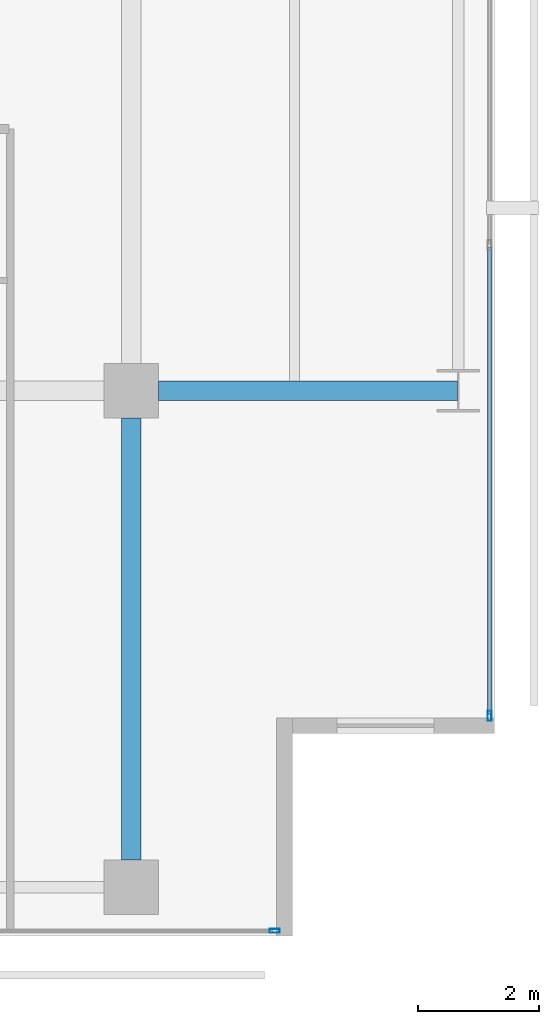
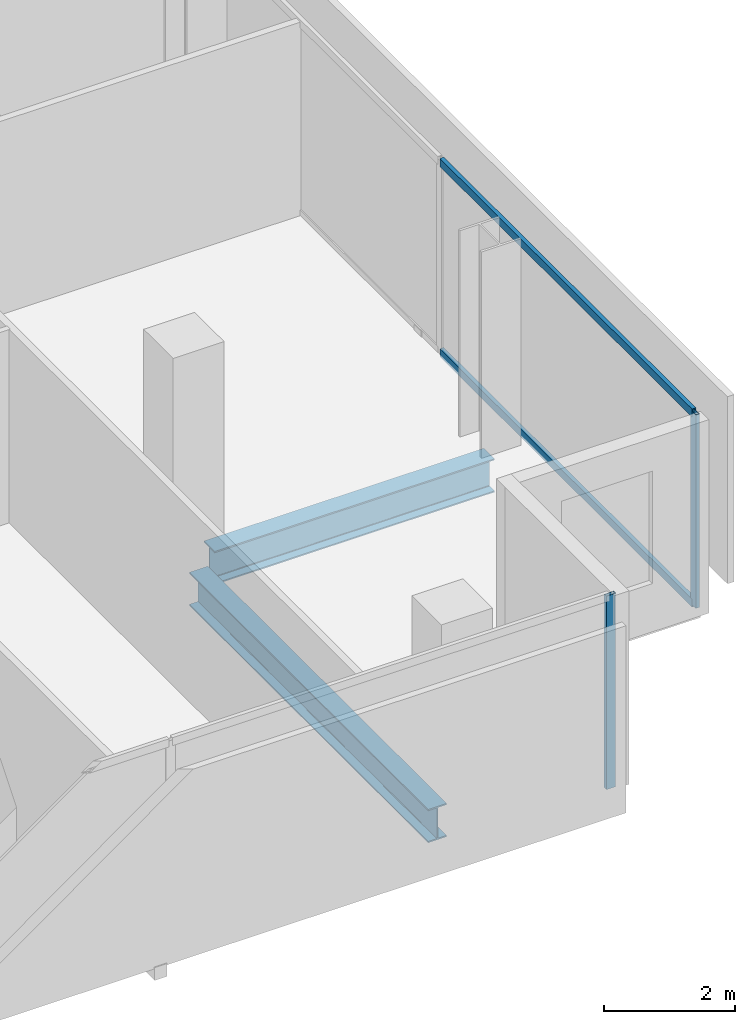
# One storey, part 16 of 41: 4 members, 2 beams, 2 elements without a shape of their own.
"""IFC4 building model written with IfcOpenShell, lengths in metres."""

from ifc_helpers import new_model, si_unit, direction, frame, origin, origin_2d, place, context, subcontext, project, spatial, hollow_rectangle, i_section, extrude, material, layer, layer_set, material_profile, profile_set, type_object, element, aggregate, save


model = new_model("IFC4")

# Units and contexts
model_context = context("Model", 3, precision=1e-05, world=origin(), true_north=direction((0.0, 1.0)))
body_context = subcontext(model_context, "Body", "Model", "MODEL_VIEW")
ifc_project = project(units=[si_unit("LENGTHUNIT", "METRE"), si_unit("AREAUNIT", "SQUARE_METRE"), si_unit("VOLUMEUNIT", "CUBIC_METRE"), si_unit("PLANEANGLEUNIT", "RADIAN"), si_unit("MASSUNIT", "GRAM", prefix="KILO")], contexts=[model_context])

# Site, building, storey
site_placement = place(None, origin())
site = spatial("IfcSite", under=ifc_project, at=site_placement, CompositionType="ELEMENT")
building_placement = place(site_placement, origin())
building = spatial("IfcBuilding", under=site, at=building_placement, Name="Maruvema Waterfront Hotel and Observation Tower", CompositionType="ELEMENT")
storey_placement = place(building_placement, frame((0.0, 0.0, 61.60009765625)))
storey = spatial("IfcBuildingStorey", under=building, at=storey_placement, Name="L14", CompositionType="ELEMENT", Elevation=61.60009765625)

# Curtain wall, members
ifc_material_1 = material(Name="Anodised bronze aluminium and solar-control low-E IGU", Category="aluminium")
ifc_layer = layer(ifc_material_1, 0.159912109375, Name="Zone 1 Bronze Inner Thermal Curtain Wall System CW-02")
ifc_layer_set = layer_set([ifc_layer], Name="Anodised bronze aluminium and solar-control low-E IGU")
curtain_wall_type = type_object("IfcCurtainWallType", Name="Zone 1 Bronze Inner Thermal Curtain Wall System CW-02", PredefinedType="USERDEFINED", material=ifc_layer_set)
curtain_wall_1_placement = place(storey_placement, origin())
curtain_wall_1 = element("IfcCurtainWall", 1, at=curtain_wall_1_placement, inside=storey, type_object=curtain_wall_type, Name="L14 Curtain Wall CW-L14-E", ObjectType="UNITISED CURTAIN WALL", PredefinedType="USERDEFINED")
ifc_material_2 = material(Name="Anodised architectural bronze aluminium", Category="aluminium")
ifc_material_profile_1 = material_profile(ifc_material_2, hollow_rectangle(XDim=0.070068359375, YDim=0.14990234375, WallThickness=0.00390625, at=origin_2d()), Name="ALU-T70x150")
ifc_profile_set_1 = profile_set([ifc_material_profile_1], Name="Anodised architectural bronze aluminium")
member_type_1 = type_object("IfcMemberType", Name="Curtain Wall Horizontal Transom ALU-T70x150", PredefinedType="USERDEFINED", material=ifc_profile_set_1)
member_1_placement = place(storey_placement, frame((64.719970703125, 3.659912109375, 0.02978515625), z_axis=(0.0, 1.0, 0.0), x_axis=(-1.0, 0.0, 0.0)))
member_1 = element("IfcMember", 2, at=member_1_placement, type_object=member_type_1, Name="CW-02 transom 1.1", ObjectType="TRANSOM", PredefinedType="USERDEFINED", context=body_context, shape_type="SweptSolid", body=[
    extrude(hollow_rectangle(XDim=0.070068359375, YDim=0.14990234375, WallThickness=0.00390625, at=origin_2d()), origin(), (0.0, 0.0, 1.0), 7.710205078125),
])
member_2_placement = place(storey_placement, frame((64.719970703125, 3.659912109375, 3.579833984375), z_axis=(0.0, 1.0, 0.0), x_axis=(-1.0, 0.0, 0.0)))
member_2 = element("IfcMember", 3, at=member_2_placement, type_object=member_type_1, Name="CW-02 transom 1.2", ObjectType="TRANSOM", PredefinedType="USERDEFINED", context=body_context, shape_type="SweptSolid", body=[
    extrude(hollow_rectangle(XDim=0.070068359375, YDim=0.14990234375, WallThickness=0.00390625, at=origin_2d()), origin(), (0.0, 0.0, 1.0), 7.710205078125),
])

# Curtain wall, member
curtain_wall_2_placement = place(storey_placement, origin())
curtain_wall_2 = element("IfcCurtainWall", 4, at=curtain_wall_2_placement, inside=storey, type_object=curtain_wall_type, Name="L14 Curtain Wall CW-L14-S", ObjectType="UNITISED CURTAIN WALL", PredefinedType="USERDEFINED")
ifc_material_3 = material(Name="Anodised architectural bronze aluminium", Category="aluminium")
ifc_material_profile_2 = material_profile(ifc_material_3, hollow_rectangle(XDim=0.06494140625, YDim=0.1650390625, WallThickness=0.00390625, at=origin_2d()), Name="ALU-M65x165")
ifc_profile_set_2 = profile_set([ifc_material_profile_2], Name="Anodised architectural bronze aluminium")
member_type_2 = type_object("IfcMemberType", Name="Curtain Wall Primary Mullion ALU-M65x165", PredefinedType="MULLION", material=ifc_profile_set_2)
member_3_placement = place(storey_placement, frame((61.169921875, 0.080078125, 0.0), z_axis=(0.0, 0.0, 1.0), x_axis=(0.0, 1.0, 0.0)))
member_3 = element("IfcMember", 5, at=member_3_placement, type_object=member_type_2, Name="CW-02 mullion 7", PredefinedType="MULLION", context=body_context, shape_type="SweptSolid", body=[
    extrude(hollow_rectangle(XDim=0.06494140625, YDim=0.1650390625, WallThickness=0.00390625, at=origin_2d()), origin(), (0.0, 0.0, 1.0), 3.60986328125),
])
aggregate(curtain_wall_2, [member_3])

# Member
member_4_placement = place(storey_placement, frame((64.719970703125, 3.6298828125, 0.0), z_axis=(0.0, 0.0, 1.0), x_axis=(-1.0, 0.0, 0.0)))
member_4 = element("IfcMember", 6, at=member_4_placement, type_object=member_type_2, Name="CW-02 mullion 1", PredefinedType="MULLION", context=body_context, shape_type="SweptSolid", body=[
    extrude(hollow_rectangle(XDim=0.06494140625, YDim=0.1650390625, WallThickness=0.00390625, at=origin_2d()), origin(), (0.0, 0.0, 1.0), 3.60986328125),
])

aggregate(curtain_wall_1, [member_4, member_1, member_2])

# Beams
ifc_material_4 = material(Name="Steel ASTM A572 Grade 50", Category="steel")
ifc_material_profile_3 = material_profile(ifc_material_4, i_section(OverallWidth=0.326904296875, OverallDepth=0.6220703125, WebThickness=0.015380859375, FlangeThickness=0.0244140625, FilletRadius=0.01806640625, at=origin_2d()), Name="W610x195.0")
ifc_profile_set_3 = profile_set([ifc_material_profile_3], Name="Steel ASTM A572 Grade 50")
beam_type = type_object("IfcBeamType", Name="Primary Floor Girder W610x195.0", PredefinedType="BEAM", material=ifc_profile_set_3)
beam_1_placement = place(storey_placement, frame((59.25, 9.0, -0.551025390625), z_axis=(1.0, 0.0, 0.0), x_axis=(0.0, 1.0, 0.0)))
element("IfcBeam", 7, at=beam_1_placement, inside=storey, type_object=beam_type, Name="L14 Floor Girder EW-12", PredefinedType="BEAM", context=body_context, shape_type="SweptSolid", body=[
    extrude(i_section(OverallWidth=0.326904296875, OverallDepth=0.6220703125, WebThickness=0.015380859375, FlangeThickness=0.0244140625, FilletRadius=0.01806640625, at=origin_2d()), origin(), (0.0, 0.0, 1.0), 4.93603515625),
])
beam_2_placement = place(storey_placement, frame((58.800048828125, 1.25, -0.551025390625), z_axis=(0.0, 1.0, 0.0), x_axis=(-1.0, 0.0, 0.0)))
element("IfcBeam", 8, at=beam_2_placement, inside=storey, type_object=beam_type, Name="L14 Floor Girder NS-27", PredefinedType="BEAM", context=body_context, shape_type="SweptSolid", body=[
    extrude(i_section(OverallWidth=0.326904296875, OverallDepth=0.6220703125, WebThickness=0.015380859375, FlangeThickness=0.0244140625, FilletRadius=0.01806640625, at=origin_2d()), origin(), (0.0, 0.0, 1.0), 7.300048828125),
])

save(model, "model.ifc")
